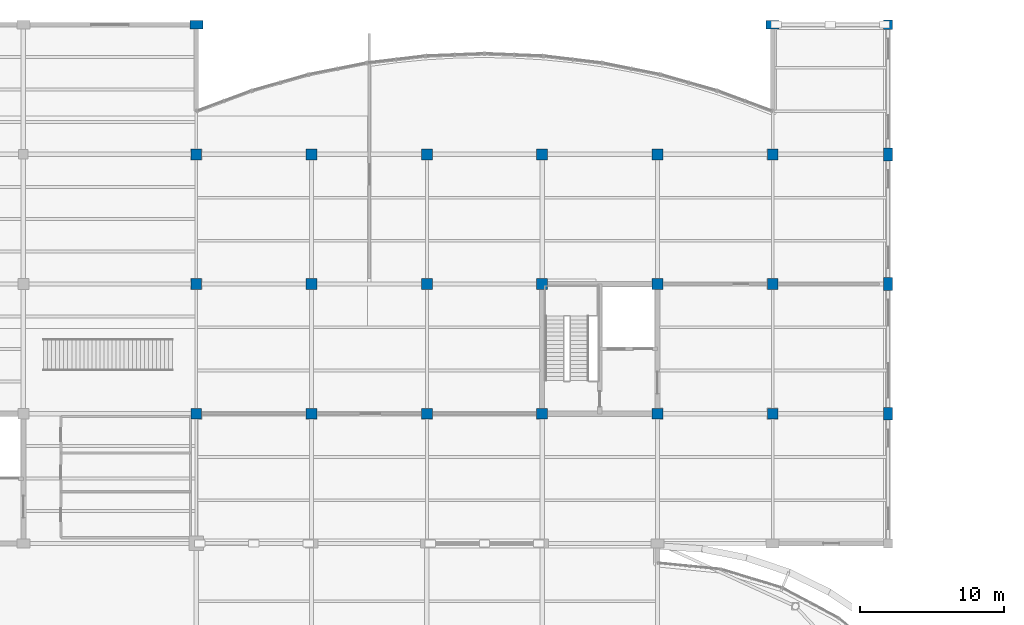
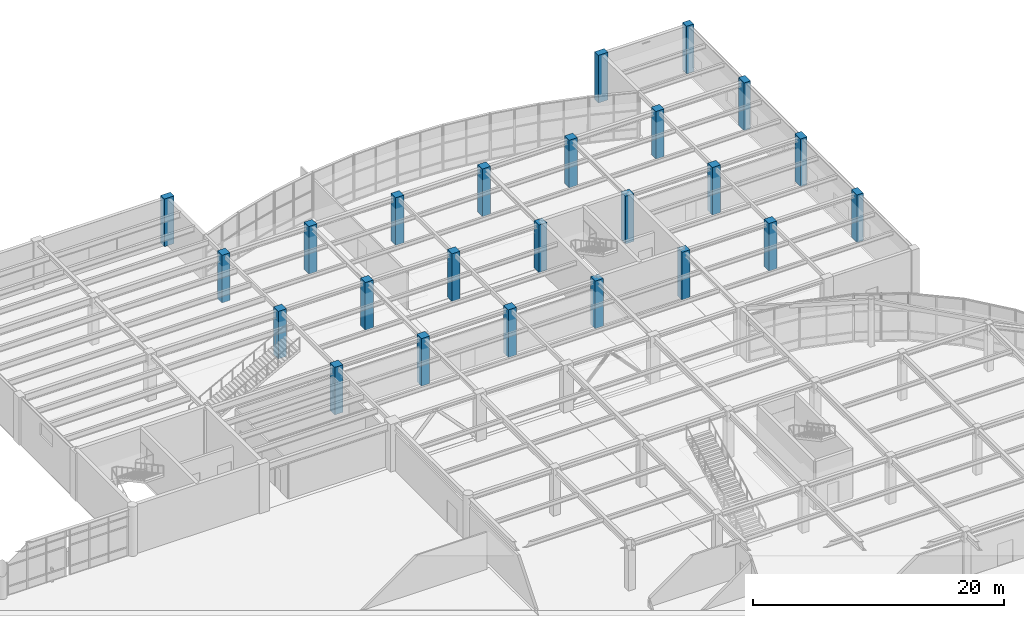
# One storey, part 9 of 72: 24 columns.
"""IFC4 building model written with IfcOpenShell, lengths in metres."""

from ifc_helpers import new_model, si_unit, direction, frame, origin, origin_2d, place, context, subcontext, project, spatial, rectangle, extrude, material, material_profile, profile_set, type_object, element, save


model = new_model("IFC4")

# Units and contexts
model_context = context("Model", 3, precision=1e-05, world=origin(), true_north=direction((0.0, 1.0)))
body_context = subcontext(model_context, "Body", "Model", "MODEL_VIEW")
ifc_project = project(units=[si_unit("LENGTHUNIT", "METRE"), si_unit("AREAUNIT", "SQUARE_METRE"), si_unit("VOLUMEUNIT", "CUBIC_METRE"), si_unit("PLANEANGLEUNIT", "RADIAN"), si_unit("MASSUNIT", "GRAM", prefix="KILO")], contexts=[model_context])

# Site, building, storey
site_placement = place(None, origin())
site = spatial("IfcSite", under=ifc_project, at=site_placement, CompositionType="ELEMENT")
building_placement = place(site_placement, origin())
building = spatial("IfcBuilding", under=site, at=building_placement, Name="Keelwater Ferry Terminal", CompositionType="ELEMENT")
storey_placement = place(building_placement, frame((0.0, 0.0, 5.39990234375)))
storey = spatial("IfcBuildingStorey", under=building, at=storey_placement, Name="L01", CompositionType="ELEMENT", Elevation=5.39990234375)

# Columns
ifc_material_1 = material(Name="Concrete C45/55", Category="concrete")
ifc_material_profile_1 = material_profile(ifc_material_1, rectangle(XDim=0.75, YDim=0.75, at=origin_2d()), Name="RC 750x750")
ifc_profile_set_1 = profile_set([ifc_material_profile_1], Name="Concrete C45/55")
column_type_1 = type_object("IfcColumnType", Name="C2 RC 750x750", PredefinedType="COLUMN", material=ifc_profile_set_1)
for number, where, z_axis, x_axis, name in (
    (1, (132.0, 99.0, 0.0), (0.0, 0.0, 1.0), (1.0, 0.0, 0.0), "Column CL-L01-0261"),
    (2, (132.0, 108.0, 0.0), (0.0, 0.0, 1.0), (1.0, 0.0, 0.0), "Column CL-L01-0267"),
    (3, (132.0, 117.0, 0.0), (0.0, 0.0, 1.0), (1.0, 0.0, 0.0), "Column CL-L01-0273"),
    (4, (140.0, 99.0, 0.0), (0.0, 0.0, 1.0), (1.0, 0.0, 0.0), "Column CL-L01-0313"),
    (5, (140.0, 108.0, 0.0), (0.0, 0.0, 1.0), (1.0, 0.0, 0.0), "Column CL-L01-0319"),
    (6, (140.0, 117.0, 0.0), (0.0, 0.0, 1.0), (1.0, 0.0, 0.0), "Column CL-L01-0325"),
    (7, (148.0, 99.0, 0.0), (0.0, 0.0, 1.0), (1.0, 0.0, 0.0), "Column CL-L01-0360"),
    (8, (148.0, 108.0, 0.0), (0.0, 0.0, 1.0), (1.0, 0.0, 0.0), "Column CL-L01-0366"),
    (9, (148.0, 117.0, 0.0), (0.0, 0.0, 1.0), (1.0, 0.0, 0.0), "Column CL-L01-0372"),
    (10, (156.0, 99.0, 0.0), (0.0, 0.0, 1.0), (1.0, 0.0, 0.0), "Column CL-L01-0399"),
    (11, (156.0, 108.0, 0.0), (0.0, 0.0, 1.0), (1.0, 0.0, 0.0), "Column CL-L01-0405"),
    (12, (156.0, 117.0, 0.0), (0.0, 0.0, 1.0), (1.0, 0.0, 0.0), "Column CL-L01-0411"),
    (13, (164.0, 99.0, 0.0), (0.0, 0.0, 1.0), (1.0, 0.0, 0.0), "Column CL-L01-0438"),
    (14, (164.0, 108.0, 0.0), (0.0, 0.0, 1.0), (1.0, 0.0, 0.0), "Column CL-L01-0444"),
    (15, (164.0, 117.0, 0.0), (0.0, 0.0, 1.0), (1.0, 0.0, 0.0), "Column CL-L01-0450"),
    (16, (172.0, 99.0, 0.0), (0.0, 0.0, 1.0), (1.0, 0.0, 0.0), "Column CL-L01-0471"),
    (17, (172.0, 108.0, 0.0), (0.0, 0.0, 1.0), (1.0, 0.0, 0.0), "Column CL-L01-0477"),
    (18, (172.0, 117.0, 0.0), (0.0, 0.0, 1.0), (1.0, 0.0, 0.0), "Column CL-L01-0483"),
):
    element("IfcColumn", number, at=place(storey_placement, frame(where, z_axis=z_axis, x_axis=x_axis)), inside=storey, type_object=column_type_1, Name=name, PredefinedType="COLUMN", context=body_context, shape_type="SweptSolid", body=[
        extrude(rectangle(XDim=0.75, YDim=0.75, at=origin_2d()), origin(), (0.0, 0.0, 1.0), 4.64013671875),
    ])
ifc_material_2 = material(Name="Concrete C45/55", Category="concrete")
ifc_material_profile_2 = material_profile(ifc_material_2, rectangle(XDim=0.64990234375, YDim=0.64990234375, at=origin_2d()), Name="RC 650x650")
ifc_profile_set_2 = profile_set([ifc_material_profile_2], Name="Concrete C45/55")
column_type_2 = type_object("IfcColumnType", Name="C3E RC 650x650", PredefinedType="COLUMN", material=ifc_profile_set_2)
column_placement = place(storey_placement, frame((180.0, 126.0, 0.0), z_axis=(0.0, 0.0, 1.0), x_axis=(1.0, 0.0, 0.0)))
element("IfcColumn", 19, at=column_placement, inside=storey, type_object=column_type_2, Name="Column CL-L01-0523", PredefinedType="COLUMN", context=body_context, shape_type="SweptSolid", body=[
    extrude(rectangle(XDim=0.64990234375, YDim=0.64990234375, at=origin_2d()), origin(), (0.0, 0.0, 1.0), 4.64013671875),
])
ifc_material_3 = material(Name="Concrete C45/55", Category="concrete")
ifc_material_profile_3 = material_profile(ifc_material_3, rectangle(XDim=0.60009765625, YDim=0.89990234375, at=origin_2d()), Name="RC 900x600")
ifc_profile_set_3 = profile_set([ifc_material_profile_3], Name="Concrete C45/55")
column_type_3 = type_object("IfcColumnType", Name="PL1E RC 900x600", PredefinedType="PILASTER", material=ifc_profile_set_3)
for number, where, z_axis, x_axis, name in (
    (20, (132.0, 126.0, 0.0), (0.0, 0.0, 1.0), (0.0, 1.0, 0.0), "Column CL-L01-0279"),
    (21, (172.0, 126.0, 0.0), (0.0, 0.0, 1.0), (0.0, 1.0, 0.0), "Column CL-L01-0489"),
    (22, (180.0, 99.0, 0.0), (0.0, 0.0, 1.0), (1.0, 0.0, 0.0), "Column CL-L01-0508"),
    (23, (180.0, 108.0, 0.0), (0.0, 0.0, 1.0), (1.0, 0.0, 0.0), "Column CL-L01-0513"),
    (24, (180.0, 117.0, 0.0), (0.0, 0.0, 1.0), (1.0, 0.0, 0.0), "Column CL-L01-0518"),
):
    element("IfcColumn", number, at=place(storey_placement, frame(where, z_axis=z_axis, x_axis=x_axis)), inside=storey, type_object=column_type_3, Name=name, PredefinedType="PILASTER", context=body_context, shape_type="SweptSolid", body=[
        extrude(rectangle(XDim=0.60009765625, YDim=0.89990234375, at=origin_2d()), origin(), (0.0, 0.0, 1.0), 4.64013671875),
    ])

save(model, "model.ifc")
